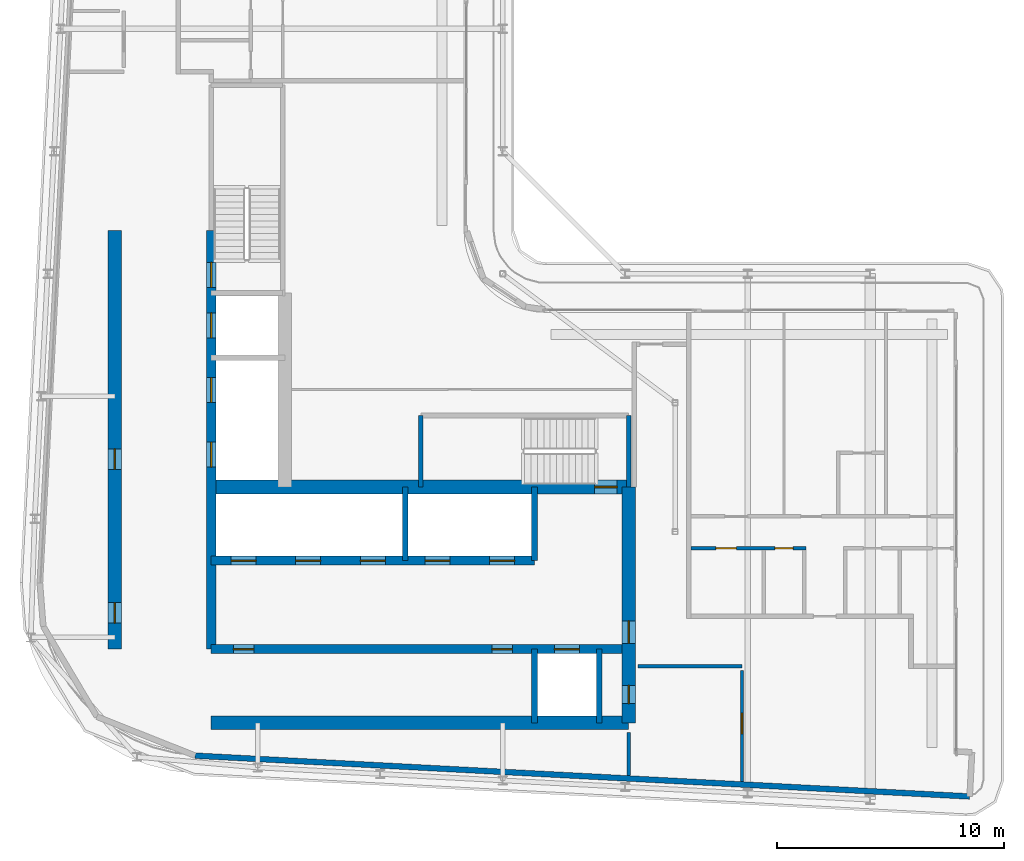
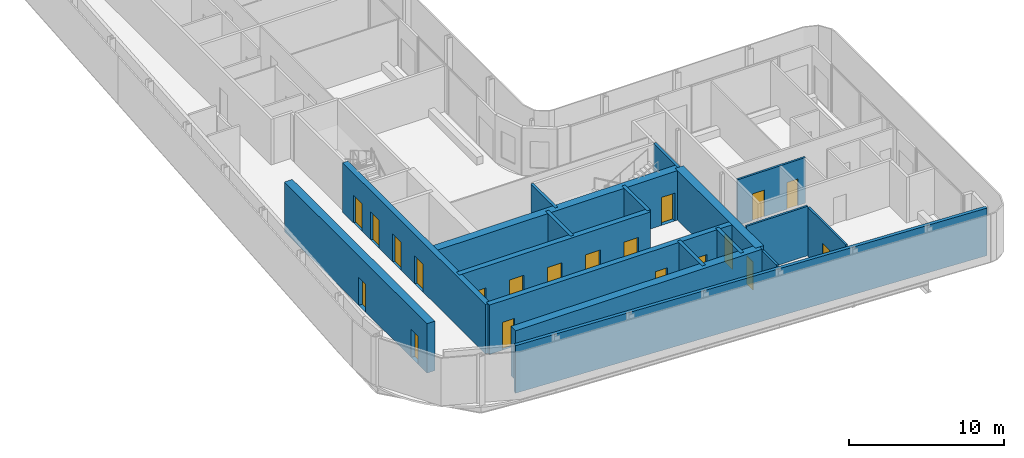
# One storey, part 11 of 21: 20 doors, 18 walls, 20 openings.
"""IFC4 building model written with IfcOpenShell, lengths in metres."""

from ifc_helpers import new_model, si_unit, direction, frame, frame_2d, origin, place, context, subcontext, project, spatial, rectangle, extrude, source, transform, mapped, material, layer, layer_set, type_object, element, fill, save


model = new_model("IFC4")

# Units and contexts
model_context = context("Model", 3, precision=1e-05, world=origin(), true_north=direction((0.0, 1.0)))
body_context = subcontext(model_context, "Body", "Model", "MODEL_VIEW")
ifc_project = project(units=[si_unit("LENGTHUNIT", "METRE"), si_unit("AREAUNIT", "SQUARE_METRE"), si_unit("VOLUMEUNIT", "CUBIC_METRE"), si_unit("PLANEANGLEUNIT", "RADIAN"), si_unit("MASSUNIT", "GRAM", prefix="KILO")], contexts=[model_context])

# Site, building, storey
site_placement = place(None, origin())
site = spatial("IfcSite", under=ifc_project, at=site_placement, CompositionType="ELEMENT")
building_placement = place(site_placement, origin())
building = spatial("IfcBuilding", under=site, at=building_placement, Name="Kheshtan School and Residences Tower", CompositionType="ELEMENT")
storey_placement = place(building_placement, frame((0.0, 0.0, 294.199951171875)))
storey = spatial("IfcBuildingStorey", under=building, at=storey_placement, Name="L69", CompositionType="ELEMENT", Elevation=294.199951171875)

# Wall, openings, doors
ifc_material_1 = material(Name="Concrete C50/60", Category="concrete")
ifc_layer_1 = layer(ifc_material_1, 0.39990234375)
ifc_layer_set_1 = layer_set([ifc_layer_1], Name="Core wall 400 Concrete C50/60")
wall_type_1 = type_object("IfcWallType", Name="Core wall 400 Concrete C50/60", PredefinedType="SHEAR", material=ifc_layer_set_1)
wall_1_placement = place(storey_placement, frame((34.75, 29.050048828125, 0.0), z_axis=(0.0, 0.0, 1.0), x_axis=(1.0, 0.0, 0.0)))
wall_1 = element("IfcWall", 1, at=wall_1_placement, inside=storey, type_object=wall_type_1, Name="Core wall CW-HALL-S1", PredefinedType="SHEAR", context=body_context, shape_type="SweptSolid", body=[
    extrude(rectangle(XDim=18.39990234375, YDim=0.39990234375, at=frame_2d((9.199951171875, 0.0))), origin(), (0.0, 0.0, 1.0), 3.900146484375),
])
opening_1_placement = place(wall_1_placement, frame((15.125, 0.0, 0.0)))
opening_1 = element("IfcOpeningElement", 2, at=opening_1_placement, cuts=wall_1, Name="Opening LD", PredefinedType="OPENING", context=body_context, shape_type="SweptSolid", body=[
    extrude(rectangle(XDim=1.10009765625, YDim=2.199951171875, at=frame_2d((0.550048828125, 1.10009765625))), frame((0.0, 0.2099609375, 0.0), z_axis=(0.0, -1.0, 0.0), x_axis=(1.0, 0.0, 0.0)), (0.0, 0.0, 1.0), 0.419921875),
])
opening_2_placement = place(wall_1_placement, frame((0.97509765625, 0.0, 0.0)))
opening_2 = element("IfcOpeningElement", 3, at=opening_2_placement, cuts=wall_1, Name="Opening SR90", PredefinedType="OPENING", context=body_context, shape_type="SweptSolid", body=[
    extrude(rectangle(XDim=0.89990234375, YDim=2.199951171875, at=frame_2d((0.449951171875, 1.10009765625))), frame((0.0, 0.2099609375, 0.0), z_axis=(0.0, -1.0, 0.0), x_axis=(1.0, 0.0, 0.0)), (0.0, 0.0, 1.0), 0.419921875),
])
opening_3_placement = place(wall_1_placement, frame((12.375, 0.0, 0.0)))
opening_3 = element("IfcOpeningElement", 4, at=opening_3_placement, cuts=wall_1, Name="Opening SR90", PredefinedType="OPENING", context=body_context, shape_type="SweptSolid", body=[
    extrude(rectangle(XDim=0.89990234375, YDim=2.199951171875, at=frame_2d((0.449951171875, 1.10009765625))), frame((0.0, 0.2099609375, 0.0), z_axis=(0.0, -1.0, 0.0), x_axis=(1.0, 0.0, 0.0)), (0.0, 0.0, 1.0), 0.419921875),
])
ifc_material_2 = material(Name="Stainless steel door leaves", Category="steel")
door_type_1 = type_object("IfcDoorType", Name="Lift landing door 1100", OperationType="SLIDING_TO_LEFT", PredefinedType="DOOR", material=ifc_material_2)
shared_shape_1 = source(origin(), body_context, "Body", "SweptSolid", [
    extrude(rectangle(XDim=1.10009765625, YDim=2.199951171875, at=frame_2d((0.550048828125, 1.10009765625))), frame((0.0, 0.02490234375, 0.0), z_axis=(0.0, -1.0, 0.0), x_axis=(1.0, 0.0, 0.0)), (0.0, 0.0, 1.0), 0.050048828125),
])
door_1_placement = place(opening_1_placement, origin())
door_1 = element("IfcDoor", 5, at=door_1_placement, inside=storey, type_object=door_type_1, Name="Lift FFL2 landing door", OperationType="SLIDING_TO_LEFT", OverallHeight=2.199951171875, OverallWidth=1.10009765625, PredefinedType="DOOR", context=body_context, shape_type="MappedRepresentation", body=[
    mapped(shared_shape_1, transform((0.0, 0.0, 0.0), x_axis=(1.0, 0.0, 0.0), y_axis=(0.0, 1.0, 0.0), z_axis=(0.0, 0.0, 1.0), scale=1.0)),
])
fill(opening_1, door_1)
ifc_material_3 = material(Name="Steel door leaf, galvanised", Category="steel")
door_type_2 = type_object("IfcDoorType", Name="Service room door 900 steel 90 min", OperationType="SINGLE_SWING_LEFT", PredefinedType="DOOR", material=ifc_material_3)
shared_shape_2 = source(origin(), body_context, "Body", "SweptSolid", [
    extrude(rectangle(XDim=0.89990234375, YDim=2.199951171875, at=frame_2d((0.449951171875, 1.10009765625))), frame((0.0, 0.02490234375, 0.0), z_axis=(0.0, -1.0, 0.0), x_axis=(1.0, 0.0, 0.0)), (0.0, 0.0, 1.0), 0.050048828125),
])
door_2_placement = place(opening_2_placement, origin())
door_2 = element("IfcDoor", 6, at=door_2_placement, inside=storey, type_object=door_type_2, Name="Service room door", OperationType="SINGLE_SWING_LEFT", OverallHeight=2.199951171875, OverallWidth=0.89990234375, PredefinedType="DOOR", context=body_context, shape_type="MappedRepresentation", body=[
    mapped(shared_shape_2, transform((0.0, 0.0, 0.0), x_axis=(1.0, 0.0, 0.0), y_axis=(0.0, 1.0, 0.0), z_axis=(0.0, 0.0, 1.0), scale=1.0)),
])
fill(opening_2, door_2)
door_3_placement = place(opening_3_placement, origin())
door_3 = element("IfcDoor", 7, at=door_3_placement, inside=storey, type_object=door_type_2, Name="Service room door", OperationType="SINGLE_SWING_LEFT", OverallHeight=2.199951171875, OverallWidth=0.89990234375, PredefinedType="DOOR", context=body_context, shape_type="MappedRepresentation", body=[
    mapped(shared_shape_2, transform((0.0, 0.0, 0.0), x_axis=(1.0, 0.0, 0.0), y_axis=(0.0, 1.0, 0.0), z_axis=(0.0, 0.0, 1.0), scale=1.0)),
])
fill(opening_3, door_3)

wall_2_placement = place(storey_placement, frame((34.75, 32.949951171875, 0.0), z_axis=(0.0, 0.0, 1.0), x_axis=(1.0, 0.0, 0.0)))
wall_2 = element("IfcWall", 8, at=wall_2_placement, inside=storey, type_object=wall_type_1, Name="Core wall CW-HALL-S2", PredefinedType="SHEAR", context=body_context, shape_type="SweptSolid", body=[
    extrude(rectangle(XDim=14.25, YDim=0.39990234375, at=frame_2d((7.125, 0.0))), origin(), (0.0, 0.0, 1.0), 3.900146484375),
])
opening_4_placement = place(wall_2_placement, frame((0.875, 0.0, 0.0)))
opening_4 = element("IfcOpeningElement", 9, at=opening_4_placement, cuts=wall_2, Name="Opening LD", PredefinedType="OPENING", context=body_context, shape_type="SweptSolid", body=[
    extrude(rectangle(XDim=1.10009765625, YDim=2.199951171875, at=frame_2d((0.550048828125, 1.10009765625))), frame((0.0, 0.2099609375, 0.0), z_axis=(0.0, -1.0, 0.0), x_axis=(1.0, 0.0, 0.0)), (0.0, 0.0, 1.0), 0.419921875),
])
opening_5_placement = place(wall_2_placement, frame((3.72509765625, 0.0, 0.0)))
opening_5 = element("IfcOpeningElement", 10, at=opening_5_placement, cuts=wall_2, Name="Opening LD", PredefinedType="OPENING", context=body_context, shape_type="SweptSolid", body=[
    extrude(rectangle(XDim=1.10009765625, YDim=2.199951171875, at=frame_2d((0.550048828125, 1.10009765625))), frame((0.0, 0.2099609375, 0.0), z_axis=(0.0, -1.0, 0.0), x_axis=(1.0, 0.0, 0.0)), (0.0, 0.0, 1.0), 0.419921875),
])
opening_6_placement = place(wall_2_placement, frame((6.574951171875, 0.0, 0.0)))
opening_6 = element("IfcOpeningElement", 11, at=opening_6_placement, cuts=wall_2, Name="Opening LD", PredefinedType="OPENING", context=body_context, shape_type="SweptSolid", body=[
    extrude(rectangle(XDim=1.10009765625, YDim=2.199951171875, at=frame_2d((0.550048828125, 1.10009765625))), frame((0.0, 0.2099609375, 0.0), z_axis=(0.0, -1.0, 0.0), x_axis=(1.0, 0.0, 0.0)), (0.0, 0.0, 1.0), 0.419921875),
])
opening_7_placement = place(wall_2_placement, frame((9.425048828125, 0.0, 0.0)))
opening_7 = element("IfcOpeningElement", 12, at=opening_7_placement, cuts=wall_2, Name="Opening LD", PredefinedType="OPENING", context=body_context, shape_type="SweptSolid", body=[
    extrude(rectangle(XDim=1.10009765625, YDim=2.199951171875, at=frame_2d((0.550048828125, 1.10009765625))), frame((0.0, 0.2099609375, 0.0), z_axis=(0.0, -1.0, 0.0), x_axis=(1.0, 0.0, 0.0)), (0.0, 0.0, 1.0), 0.419921875),
])
opening_8_placement = place(wall_2_placement, frame((12.27490234375, 0.0, 0.0)))
opening_8 = element("IfcOpeningElement", 13, at=opening_8_placement, cuts=wall_2, Name="Opening LD", PredefinedType="OPENING", context=body_context, shape_type="SweptSolid", body=[
    extrude(rectangle(XDim=1.10009765625, YDim=2.199951171875, at=frame_2d((0.550048828125, 1.10009765625))), frame((0.0, 0.2099609375, 0.0), z_axis=(0.0, -1.0, 0.0), x_axis=(1.0, 0.0, 0.0)), (0.0, 0.0, 1.0), 0.419921875),
])
door_4_placement = place(opening_4_placement, origin())
door_4 = element("IfcDoor", 14, at=door_4_placement, inside=storey, type_object=door_type_1, Name="Lift P12 landing door", OperationType="SLIDING_TO_LEFT", OverallHeight=2.199951171875, OverallWidth=1.10009765625, PredefinedType="DOOR", context=body_context, shape_type="MappedRepresentation", body=[
    mapped(shared_shape_1, transform((0.0, 0.0, 0.0), x_axis=(1.0, 0.0, 0.0), y_axis=(0.0, 1.0, 0.0), z_axis=(0.0, 0.0, 1.0), scale=1.0)),
])
fill(opening_4, door_4)
door_5_placement = place(opening_5_placement, origin())
door_5 = element("IfcDoor", 15, at=door_5_placement, inside=storey, type_object=door_type_1, Name="Lift P13 landing door", OperationType="SLIDING_TO_LEFT", OverallHeight=2.199951171875, OverallWidth=1.10009765625, PredefinedType="DOOR", context=body_context, shape_type="MappedRepresentation", body=[
    mapped(shared_shape_1, transform((0.0, 0.0, 0.0), x_axis=(1.0, 0.0, 0.0), y_axis=(0.0, 1.0, 0.0), z_axis=(0.0, 0.0, 1.0), scale=1.0)),
])
fill(opening_5, door_5)
door_6_placement = place(opening_6_placement, origin())
door_6 = element("IfcDoor", 16, at=door_6_placement, inside=storey, type_object=door_type_1, Name="Lift P14 landing door", OperationType="SLIDING_TO_LEFT", OverallHeight=2.199951171875, OverallWidth=1.10009765625, PredefinedType="DOOR", context=body_context, shape_type="MappedRepresentation", body=[
    mapped(shared_shape_1, transform((0.0, 0.0, 0.0), x_axis=(1.0, 0.0, 0.0), y_axis=(0.0, 1.0, 0.0), z_axis=(0.0, 0.0, 1.0), scale=1.0)),
])
fill(opening_6, door_6)
door_7_placement = place(opening_7_placement, origin())
door_7 = element("IfcDoor", 17, at=door_7_placement, inside=storey, type_object=door_type_1, Name="Lift P15 landing door", OperationType="SLIDING_TO_LEFT", OverallHeight=2.199951171875, OverallWidth=1.10009765625, PredefinedType="DOOR", context=body_context, shape_type="MappedRepresentation", body=[
    mapped(shared_shape_1, transform((0.0, 0.0, 0.0), x_axis=(1.0, 0.0, 0.0), y_axis=(0.0, 1.0, 0.0), z_axis=(0.0, 0.0, 1.0), scale=1.0)),
])
fill(opening_7, door_7)
door_8_placement = place(opening_8_placement, origin())
door_8 = element("IfcDoor", 18, at=door_8_placement, inside=storey, type_object=door_type_1, Name="Lift P16 landing door", OperationType="SLIDING_TO_LEFT", OverallHeight=2.199951171875, OverallWidth=1.10009765625, PredefinedType="DOOR", context=body_context, shape_type="MappedRepresentation", body=[
    mapped(shared_shape_1, transform((0.0, 0.0, 0.0), x_axis=(1.0, 0.0, 0.0), y_axis=(0.0, 1.0, 0.0), z_axis=(0.0, 0.0, 1.0), scale=1.0)),
])
fill(opening_8, door_8)

wall_3_placement = place(storey_placement, frame((34.75, 29.050048828125, 0.0), z_axis=(0.0, 0.0, 1.0), x_axis=(0.0, 1.0, 0.0)))
wall_3 = element("IfcWall", 19, at=wall_3_placement, inside=storey, type_object=wall_type_1, Name="Core wall CW-HALL-W1", PredefinedType="SHEAR", context=body_context, shape_type="SweptSolid", body=[
    extrude(rectangle(XDim=18.449951171875, YDim=0.39990234375, at=frame_2d((9.22509765625, 0.0))), origin(), (0.0, 0.0, 1.0), 3.900146484375),
])
opening_9_placement = place(wall_3_placement, frame((8.02490234375, 0.0, 0.0)))
opening_9 = element("IfcOpeningElement", 20, at=opening_9_placement, cuts=wall_3, Name="Opening LD", PredefinedType="OPENING", context=body_context, shape_type="SweptSolid", body=[
    extrude(rectangle(XDim=1.10009765625, YDim=2.199951171875, at=frame_2d((0.550048828125, 1.10009765625))), frame((0.0, 0.2099609375, 0.0), z_axis=(0.0, -1.0, 0.0), x_axis=(1.0, 0.0, 0.0)), (0.0, 0.0, 1.0), 0.419921875),
])
opening_10_placement = place(wall_3_placement, frame((10.875, 0.0, 0.0)))
opening_10 = element("IfcOpeningElement", 21, at=opening_10_placement, cuts=wall_3, Name="Opening LD", PredefinedType="OPENING", context=body_context, shape_type="SweptSolid", body=[
    extrude(rectangle(XDim=1.10009765625, YDim=2.199951171875, at=frame_2d((0.550048828125, 1.10009765625))), frame((0.0, 0.2099609375, 0.0), z_axis=(0.0, -1.0, 0.0), x_axis=(1.0, 0.0, 0.0)), (0.0, 0.0, 1.0), 0.419921875),
])
opening_11_placement = place(wall_3_placement, frame((13.72509765625, 0.0, 0.0)))
opening_11 = element("IfcOpeningElement", 22, at=opening_11_placement, cuts=wall_3, Name="Opening LD", PredefinedType="OPENING", context=body_context, shape_type="SweptSolid", body=[
    extrude(rectangle(XDim=1.10009765625, YDim=2.199951171875, at=frame_2d((0.550048828125, 1.10009765625))), frame((0.0, 0.2099609375, 0.0), z_axis=(0.0, -1.0, 0.0), x_axis=(1.0, 0.0, 0.0)), (0.0, 0.0, 1.0), 0.419921875),
])
opening_12_placement = place(wall_3_placement, frame((15.949951171875, 0.0, 0.0)))
opening_12 = element("IfcOpeningElement", 23, at=opening_12_placement, cuts=wall_3, Name="Opening ST2D", PredefinedType="OPENING", context=body_context, shape_type="SweptSolid", body=[
    extrude(rectangle(XDim=1.10009765625, YDim=2.199951171875, at=frame_2d((0.550048828125, 1.10009765625))), frame((0.0, 0.2099609375, 0.0), z_axis=(0.0, -1.0, 0.0), x_axis=(1.0, 0.0, 0.0)), (0.0, 0.0, 1.0), 0.419921875),
])
door_9_placement = place(opening_9_placement, origin())
door_9 = element("IfcDoor", 24, at=door_9_placement, inside=storey, type_object=door_type_1, Name="Lift SV1 landing door", OperationType="SLIDING_TO_LEFT", OverallHeight=2.199951171875, OverallWidth=1.10009765625, PredefinedType="DOOR", context=body_context, shape_type="MappedRepresentation", body=[
    mapped(shared_shape_1, transform((0.0, 0.0, 0.0), x_axis=(1.0, 0.0, 0.0), y_axis=(0.0, 1.0, 0.0), z_axis=(0.0, 0.0, 1.0), scale=1.0)),
])
fill(opening_9, door_9)
door_10_placement = place(opening_10_placement, origin())
door_10 = element("IfcDoor", 25, at=door_10_placement, inside=storey, type_object=door_type_1, Name="Lift SV2 landing door", OperationType="SLIDING_TO_LEFT", OverallHeight=2.199951171875, OverallWidth=1.10009765625, PredefinedType="DOOR", context=body_context, shape_type="MappedRepresentation", body=[
    mapped(shared_shape_1, transform((0.0, 0.0, 0.0), x_axis=(1.0, 0.0, 0.0), y_axis=(0.0, 1.0, 0.0), z_axis=(0.0, 0.0, 1.0), scale=1.0)),
])
fill(opening_10, door_10)
door_11_placement = place(opening_11_placement, origin())
door_11 = element("IfcDoor", 26, at=door_11_placement, inside=storey, type_object=door_type_1, Name="Lift FFL1 landing door", OperationType="SLIDING_TO_LEFT", OverallHeight=2.199951171875, OverallWidth=1.10009765625, PredefinedType="DOOR", context=body_context, shape_type="MappedRepresentation", body=[
    mapped(shared_shape_1, transform((0.0, 0.0, 0.0), x_axis=(1.0, 0.0, 0.0), y_axis=(0.0, 1.0, 0.0), z_axis=(0.0, 0.0, 1.0), scale=1.0)),
])
fill(opening_11, door_11)
door_type_3 = type_object("IfcDoorType", Name="Stair door 1100 steel 90 min", OperationType="SINGLE_SWING_LEFT", PredefinedType="DOOR", material=ifc_material_3)
shared_shape_3 = source(origin(), body_context, "Body", "SweptSolid", [
    extrude(rectangle(XDim=1.10009765625, YDim=2.199951171875, at=frame_2d((0.550048828125, 1.10009765625))), frame((0.0, 0.02490234375, 0.0), z_axis=(0.0, -1.0, 0.0), x_axis=(1.0, 0.0, 0.0)), (0.0, 0.0, 1.0), 0.050048828125),
])
door_12_placement = place(opening_12_placement, origin())
door_12 = element("IfcDoor", 27, at=door_12_placement, inside=storey, type_object=door_type_3, Name="Stair ST2 door", OperationType="SINGLE_SWING_RIGHT", OverallHeight=2.199951171875, OverallWidth=1.10009765625, PredefinedType="DOOR", context=body_context, shape_type="MappedRepresentation", body=[
    mapped(shared_shape_3, transform((0.0, 0.0, 0.0), x_axis=(1.0, 0.0, 0.0), y_axis=(0.0, 1.0, 0.0), z_axis=(0.0, 0.0, 1.0), scale=1.0)),
])
fill(opening_12, door_12)

# Wall
ifc_material_4 = material(Name="Concrete C60/75", Category="concrete")
ifc_layer_2 = layer(ifc_material_4, 0.60009765625)
ifc_layer_set_2 = layer_set([ifc_layer_2], Name="Core wall 600 Concrete C60/75")
wall_type_2 = type_object("IfcWallType", Name="Core wall 600 Concrete C60/75", PredefinedType="SHEAR", material=ifc_layer_set_2)
wall_4_placement = place(storey_placement, frame((34.75, 25.800048828125, 0.0), z_axis=(0.0, 0.0, 1.0), x_axis=(1.0, 0.0, 0.0)))
element("IfcWall", 28, at=wall_4_placement, inside=storey, type_object=wall_type_2, Name="Core wall CW-REAR-S", PredefinedType="SHEAR", context=body_context, shape_type="SweptSolid", body=[
    extrude(rectangle(XDim=18.39990234375, YDim=0.60009765625, at=frame_2d((9.199951171875, 0.0))), origin(), (0.0, 0.0, 1.0), 3.900146484375),
])

# Wall, opening, door
wall_5_placement = place(storey_placement, frame((34.75, 36.199951171875, 0.0), z_axis=(0.0, 0.0, 1.0), x_axis=(1.0, 0.0, 0.0)))
wall_5 = element("IfcWall", 29, at=wall_5_placement, inside=storey, type_object=wall_type_2, Name="Core wall CW-FRONT-S", PredefinedType="SHEAR", context=body_context, shape_type="SweptSolid", body=[
    extrude(rectangle(XDim=18.39990234375, YDim=0.60009765625, at=frame_2d((9.199951171875, 0.0))), origin(), (0.0, 0.0, 1.0), 3.900146484375),
])
opening_13_placement = place(wall_5_placement, frame((16.89990234375, 0.0, 0.0)))
opening_13 = element("IfcOpeningElement", 30, at=opening_13_placement, cuts=wall_5, Name="Opening ST1D", PredefinedType="OPENING", context=body_context, shape_type="SweptSolid", body=[
    extrude(rectangle(XDim=1.0, YDim=2.199951171875, at=frame_2d((0.5, 1.10009765625))), frame((0.0, 0.31005859375, 0.0), z_axis=(0.0, -1.0, 0.0), x_axis=(1.0, 0.0, 0.0)), (0.0, 0.0, 1.0), 0.6201171875),
])
shared_shape_4 = source(origin(), body_context, "Body", "SweptSolid", [
    extrude(rectangle(XDim=1.0, YDim=2.199951171875, at=frame_2d((0.5, 1.10009765625))), frame((0.0, 0.02490234375, 0.0), z_axis=(0.0, -1.0, 0.0), x_axis=(1.0, 0.0, 0.0)), (0.0, 0.0, 1.0), 0.050048828125),
])
door_13_placement = place(opening_13_placement, origin())
door_13 = element("IfcDoor", 31, at=door_13_placement, inside=storey, type_object=door_type_3, Name="Stair ST1 door", OperationType="SINGLE_SWING_RIGHT", OverallHeight=2.199951171875, OverallWidth=1.0, PredefinedType="DOOR", context=body_context, shape_type="MappedRepresentation", body=[
    mapped(shared_shape_4, transform((0.0, 0.0, 0.0), x_axis=(1.0, 0.0, 0.0), y_axis=(0.0, 1.0, 0.0), z_axis=(0.0, 0.0, 1.0), scale=1.0)),
])
fill(opening_13, door_13)

# Wall, openings, doors
wall_6_placement = place(storey_placement, frame((30.5, 29.050048828125, 0.0), z_axis=(0.0, 0.0, 1.0), x_axis=(0.0, 1.0, 0.0)))
wall_6 = element("IfcWall", 32, at=wall_6_placement, inside=storey, type_object=wall_type_2, Name="Core wall CW-REAR-W", PredefinedType="SHEAR", context=body_context, shape_type="SweptSolid", body=[
    extrude(rectangle(XDim=18.449951171875, YDim=0.60009765625, at=frame_2d((9.22509765625, 0.0))), origin(), (0.0, 0.0, 1.0), 3.900146484375),
])
opening_14_placement = place(wall_6_placement, frame((1.14697265625, 0.0, 0.0)))
opening_14 = element("IfcOpeningElement", 33, at=opening_14_placement, cuts=wall_6, Name="Opening SR90", PredefinedType="OPENING", context=body_context, shape_type="SweptSolid", body=[
    extrude(rectangle(XDim=0.89990234375, YDim=2.199951171875, at=frame_2d((0.449951171875, 1.10009765625))), frame((0.0, 0.31005859375, 0.0), z_axis=(0.0, -1.0, 0.0), x_axis=(1.0, 0.0, 0.0)), (0.0, 0.0, 1.0), 0.6201171875),
])
opening_15_placement = place(wall_6_placement, frame((7.925048828125, 0.0, 0.0)))
opening_15 = element("IfcOpeningElement", 34, at=opening_15_placement, cuts=wall_6, Name="Opening SR90", PredefinedType="OPENING", context=body_context, shape_type="SweptSolid", body=[
    extrude(rectangle(XDim=0.89990234375, YDim=2.199951171875, at=frame_2d((0.449951171875, 1.10009765625))), frame((0.0, 0.31005859375, 0.0), z_axis=(0.0, -1.0, 0.0), x_axis=(1.0, 0.0, 0.0)), (0.0, 0.0, 1.0), 0.6201171875),
])
door_14_placement = place(opening_14_placement, origin())
door_14 = element("IfcDoor", 35, at=door_14_placement, inside=storey, type_object=door_type_2, Name="Service room door", OperationType="SINGLE_SWING_LEFT", OverallHeight=2.199951171875, OverallWidth=0.89990234375, PredefinedType="DOOR", context=body_context, shape_type="MappedRepresentation", body=[
    mapped(shared_shape_2, transform((0.0, 0.0, 0.0), x_axis=(1.0, 0.0, 0.0), y_axis=(0.0, 1.0, 0.0), z_axis=(0.0, 0.0, 1.0), scale=1.0)),
])
fill(opening_14, door_14)
door_15_placement = place(opening_15_placement, origin())
door_15 = element("IfcDoor", 36, at=door_15_placement, inside=storey, type_object=door_type_2, Name="Service room door", OperationType="SINGLE_SWING_LEFT", OverallHeight=2.199951171875, OverallWidth=0.89990234375, PredefinedType="DOOR", context=body_context, shape_type="MappedRepresentation", body=[
    mapped(shared_shape_2, transform((0.0, 0.0, 0.0), x_axis=(1.0, 0.0, 0.0), y_axis=(0.0, 1.0, 0.0), z_axis=(0.0, 0.0, 1.0), scale=1.0)),
])
fill(opening_15, door_15)

wall_7_placement = place(storey_placement, frame((53.14990234375, 25.800048828125, 0.0), z_axis=(0.0, 0.0, 1.0), x_axis=(0.0, 1.0, 0.0)))
wall_7 = element("IfcWall", 37, at=wall_7_placement, inside=storey, type_object=wall_type_2, Name="Core wall CW-EAST", PredefinedType="SHEAR", context=body_context, shape_type="SweptSolid", body=[
    extrude(rectangle(XDim=10.39990234375, YDim=0.60009765625, at=frame_2d((5.199951171875, 0.0))), origin(), (0.0, 0.0, 1.0), 3.900146484375),
])
opening_16_placement = place(wall_7_placement, frame((0.85009765625, 0.0, 0.0)))
opening_16 = element("IfcOpeningElement", 38, at=opening_16_placement, cuts=wall_7, Name="Opening SR80", PredefinedType="OPENING", context=body_context, shape_type="SweptSolid", body=[
    extrude(rectangle(XDim=0.800048828125, YDim=2.199951171875, at=frame_2d((0.39990234375, 1.10009765625))), frame((0.0, 0.31005859375, 0.0), z_axis=(0.0, -1.0, 0.0), x_axis=(1.0, 0.0, 0.0)), (0.0, 0.0, 1.0), 0.6201171875),
])
opening_17_placement = place(wall_7_placement, frame((3.5, 0.0, 0.0)))
opening_17 = element("IfcOpeningElement", 39, at=opening_17_placement, cuts=wall_7, Name="Opening SD91", PredefinedType="OPENING", context=body_context, shape_type="SweptSolid", body=[
    extrude(rectangle(XDim=1.0, YDim=2.199951171875, at=frame_2d((0.5, 1.10009765625))), frame((0.0, 0.31005859375, 0.0), z_axis=(0.0, -1.0, 0.0), x_axis=(1.0, 0.0, 0.0)), (0.0, 0.0, 1.0), 0.6201171875),
])
door_type_4 = type_object("IfcDoorType", Name="Service room door 800 steel 90 min", OperationType="SINGLE_SWING_LEFT", PredefinedType="DOOR", material=ifc_material_3)
shared_shape_5 = source(origin(), body_context, "Body", "SweptSolid", [
    extrude(rectangle(XDim=0.800048828125, YDim=2.199951171875, at=frame_2d((0.39990234375, 1.10009765625))), frame((0.0, 0.02490234375, 0.0), z_axis=(0.0, -1.0, 0.0), x_axis=(1.0, 0.0, 0.0)), (0.0, 0.0, 1.0), 0.050048828125),
])
door_16_placement = place(opening_16_placement, origin())
door_16 = element("IfcDoor", 40, at=door_16_placement, inside=storey, type_object=door_type_4, Name="Service room door", OperationType="SINGLE_SWING_LEFT", OverallHeight=2.199951171875, OverallWidth=0.800048828125, PredefinedType="DOOR", context=body_context, shape_type="MappedRepresentation", body=[
    mapped(shared_shape_5, transform((0.0, 0.0, 0.0), x_axis=(1.0, 0.0, 0.0), y_axis=(0.0, 1.0, 0.0), z_axis=(0.0, 0.0, 1.0), scale=1.0)),
])
fill(opening_16, door_16)
door_type_5 = type_object("IfcDoorType", Name="Firefighting lobby door 1000 steel 90 min", OperationType="SINGLE_SWING_LEFT", PredefinedType="DOOR", material=ifc_material_3)
shared_shape_6 = source(origin(), body_context, "Body", "SweptSolid", [
    extrude(rectangle(XDim=1.0, YDim=2.199951171875, at=frame_2d((0.5, 1.10009765625))), frame((0.0, 0.02490234375, 0.0), z_axis=(0.0, -1.0, 0.0), x_axis=(1.0, 0.0, 0.0)), (0.0, 0.0, 1.0), 0.050048828125),
])
door_17_placement = place(opening_17_placement, origin())
door_17 = element("IfcDoor", 41, at=door_17_placement, inside=storey, type_object=door_type_5, Name="Firefighting lobby door", OperationType="SINGLE_SWING_LEFT", OverallHeight=2.199951171875, OverallWidth=1.0, PredefinedType="DOOR", context=body_context, shape_type="MappedRepresentation", body=[
    mapped(shared_shape_6, transform((0.0, 0.0, 0.0), x_axis=(1.0, 0.0, 0.0), y_axis=(0.0, 1.0, 0.0), z_axis=(0.0, 0.0, 1.0), scale=1.0)),
])
fill(opening_17, door_17)

# Walls
ifc_material_5 = material(Name="Concrete C40/50 with ceramic cladding and mineral wool insulation", Category="concrete")
ifc_layer_3 = layer(ifc_material_5, 0.25)
ifc_layer_set_3 = layer_set([ifc_layer_3], Name="External wall 250 ceramic clad")
wall_type_3 = type_object("IfcWallType", Name="External wall 250 ceramic clad", PredefinedType="SOLIDWALL", material=ifc_layer_set_3)
wall_8_placement = place(storey_placement, frame((68.18603515625, 22.554931640625, 0.0), z_axis=(0.0, 0.0, 1.0), x_axis=(-0.998616468095, 0.052584690257, 0.0)))
element("IfcWall", 42, at=wall_8_placement, inside=storey, type_object=wall_type_3, Name="External wall L69 16", PredefinedType="SOLIDWALL", context=body_context, shape_type="SweptSolid", body=[
    extrude(rectangle(XDim=34.1943359375, YDim=0.25, at=frame_2d((17.09716796875, 0.0))), origin(), (0.0, 0.0, 1.0), 3.75),
])
ifc_material_6 = material(Name="Fire-board shaft wall system")
ifc_layer_4 = layer(ifc_material_6, 0.14990234375)
ifc_layer_set_4 = layer_set([ifc_layer_4], Name="Service room wall 150")
wall_type_4 = type_object("IfcWallType", Name="Service room wall 150", PredefinedType="PARTITIONING", material=ifc_layer_set_4)
wall_9_placement = place(storey_placement, frame((53.570068359375, 28.300048828125, 0.0), z_axis=(0.0, 0.0, 1.0), x_axis=(1.0, 0.0, 0.0)))
element("IfcWall", 43, at=wall_9_placement, inside=storey, type_object=wall_type_4, Name="Service room wall", PredefinedType="PARTITIONING", context=body_context, shape_type="SweptSolid", body=[
    extrude(rectangle(XDim=4.579833984375, YDim=0.14990234375, at=frame_2d((2.2900390625, 0.0))), origin(), (0.0, 0.0, 1.0), 3.900146484375),
])
wall_10_placement = place(storey_placement, frame((53.14990234375, 23.47509765625, 0.0), z_axis=(0.0, 0.0, 1.0), x_axis=(0.0, 1.0, 0.0)))
element("IfcWall", 44, at=wall_10_placement, inside=storey, type_object=wall_type_4, Name="Service room wall", PredefinedType="PARTITIONING", context=body_context, shape_type="SweptSolid", body=[
    extrude(rectangle(XDim=1.90478515625, YDim=0.14990234375, at=frame_2d((0.952392578125, 0.0))), origin(), (0.0, 0.0, 1.0), 3.900146484375),
])

# Wall, opening, door
wall_11_placement = place(storey_placement, frame((58.14990234375, 23.2109375, 0.0), z_axis=(0.0, 0.0, 1.0), x_axis=(0.0, 1.0, 0.0)))
wall_11 = element("IfcWall", 45, at=wall_11_placement, inside=storey, type_object=wall_type_4, Name="Service room wall", PredefinedType="PARTITIONING", context=body_context, shape_type="SweptSolid", body=[
    extrude(rectangle(XDim=4.89404296875, YDim=0.14990234375, at=frame_2d((2.447021484375, 0.0))), origin(), (0.0, 0.0, 1.0), 3.900146484375),
])
opening_18_placement = place(wall_11_placement, frame((2.10888671875, 0.0, 0.0)))
opening_18 = element("IfcOpeningElement", 46, at=opening_18_placement, cuts=wall_11, Name="Opening SR90", PredefinedType="OPENING", context=body_context, shape_type="SweptSolid", body=[
    extrude(rectangle(XDim=0.89990234375, YDim=2.199951171875, at=frame_2d((0.449951171875, 1.10009765625))), frame((0.0, 0.0849609375, 0.0), z_axis=(0.0, -1.0, 0.0), x_axis=(1.0, 0.0, 0.0)), (0.0, 0.0, 1.0), 0.169921875),
])
door_18_placement = place(opening_18_placement, origin())
door_18 = element("IfcDoor", 47, at=door_18_placement, inside=storey, type_object=door_type_2, Name="Service room door", OperationType="SINGLE_SWING_LEFT", OverallHeight=2.199951171875, OverallWidth=0.89990234375, PredefinedType="DOOR", context=body_context, shape_type="MappedRepresentation", body=[
    mapped(shared_shape_2, transform((0.0, 0.0, 0.0), x_axis=(1.0, 0.0, 0.0), y_axis=(0.0, 1.0, 0.0), z_axis=(0.0, 0.0, 1.0), scale=1.0)),
])
fill(opening_18, door_18)

# Walls
ifc_layer_5 = layer(ifc_material_6, 0.25)
ifc_layer_set_5 = layer_set([ifc_layer_5], Name="Shaft lining wall 250")
wall_type_5 = type_object("IfcWallType", Name="Shaft lining wall 250", PredefinedType="PARTITIONING", material=ifc_layer_set_5)
for number, where, z_axis, x_axis, name in (
    (48, (43.300048828125, 32.949951171875, 0.0), (0.0, 0.0, 1.0), (0.0, 1.0, 0.0), "Shaft lining wall"),
    (49, (49.0, 25.800048828125, 0.0), (0.0, 0.0, 1.0), (0.0, 1.0, 0.0), "Shaft lining wall"),
    (50, (49.0, 32.949951171875, 0.0), (0.0, 0.0, 1.0), (0.0, 1.0, 0.0), "Shaft lining wall"),
    (51, (51.85009765625, 25.800048828125, 0.0), (0.0, 0.0, 1.0), (0.0, 1.0, 0.0), "Shaft lining wall"),
):
    element("IfcWall", number, at=place(storey_placement, frame(where, z_axis=z_axis, x_axis=x_axis)), inside=storey, type_object=wall_type_5, Name=name, PredefinedType="PARTITIONING", context=body_context, shape_type="SweptSolid", body=[
        extrude(rectangle(XDim=3.25, YDim=0.25, at=frame_2d((1.625, 0.0))), origin(), (0.0, 0.0, 1.0), 3.900146484375),
    ])
ifc_material_7 = material(Name="Concrete C40/50", Category="concrete")
ifc_layer_6 = layer(ifc_material_7, 0.199951171875)
ifc_layer_set_6 = layer_set([ifc_layer_6], Name="Stair enclosure wall 200 Concrete C40/50")
wall_type_6 = type_object("IfcWallType", Name="Stair enclosure wall 200 Concrete C40/50", PredefinedType="SHEAR", material=ifc_layer_set_6)
for number, where, z_axis, x_axis, name in (
    (52, (43.989990234375, 36.199951171875, 0.0), (0.0, 0.0, 1.0), (0.0, 1.0, 0.0), "Stair enclosure wall ST1"),
    (53, (53.14990234375, 36.199951171875, 0.0), (0.0, 0.0, 1.0), (0.0, 1.0, 0.0), "Stair enclosure wall ST1"),
):
    element("IfcWall", number, at=place(storey_placement, frame(where, z_axis=z_axis, x_axis=x_axis)), inside=storey, type_object=wall_type_6, Name=name, PredefinedType="SHEAR", context=body_context, shape_type="SweptSolid", body=[
        extrude(rectangle(XDim=3.150146484375, YDim=0.199951171875, at=frame_2d((1.5751953125, 0.0))), origin(), (0.0, 0.0, 1.0), 3.900146484375),
    ])

# Wall, openings, doors
ifc_material_8 = material(Name="Moisture-resistant gypsum board on steel studs", Category="steel")
ifc_layer_7 = layer(ifc_material_8, 0.14990234375)
ifc_layer_set_7 = layer_set([ifc_layer_7], Name="Wet-room partition 150")
wall_type_7 = type_object("IfcWallType", Name="Wet-room partition 150", PredefinedType="PARTITIONING", material=ifc_layer_set_7)
wall_12_placement = place(storey_placement, frame((55.89990234375, 33.5, 0.0), z_axis=(0.0, 0.0, 1.0), x_axis=(1.0, 0.0, 0.0)))
wall_12 = element("IfcWall", 54, at=wall_12_placement, inside=storey, type_object=wall_type_7, Name="Partition L69-044", PredefinedType="PARTITIONING", context=body_context, shape_type="SweptSolid", body=[
    extrude(rectangle(XDim=5.0751953125, YDim=0.14990234375, at=frame_2d((2.53759765625, 0.0))), origin(), (0.0, 0.0, 1.0), 3.60009765625),
])
opening_19_placement = place(wall_12_placement, frame((1.10009765625, 0.0, 0.0)))
opening_19 = element("IfcOpeningElement", 55, at=opening_19_placement, cuts=wall_12, Name="Opening D68-006", PredefinedType="OPENING", context=body_context, shape_type="SweptSolid", body=[
    extrude(rectangle(XDim=0.89990234375, YDim=2.10009765625, at=frame_2d((0.449951171875, 1.050048828125))), frame((0.0, 0.0849609375, 0.0), z_axis=(0.0, -1.0, 0.0), x_axis=(1.0, 0.0, 0.0)), (0.0, 0.0, 1.0), 0.169921875),
])
opening_20_placement = place(wall_12_placement, frame((3.699951171875, 0.0, 0.0)))
opening_20 = element("IfcOpeningElement", 56, at=opening_20_placement, cuts=wall_12, Name="Opening D68-009", PredefinedType="OPENING", context=body_context, shape_type="SweptSolid", body=[
    extrude(rectangle(XDim=0.800048828125, YDim=2.10009765625, at=frame_2d((0.39990234375, 1.050048828125))), frame((0.0, 0.0849609375, 0.0), z_axis=(0.0, -1.0, 0.0), x_axis=(1.0, 0.0, 0.0)), (0.0, 0.0, 1.0), 0.169921875),
])
ifc_material_9 = material(Name="Veneered timber door leaf", Category="wood")
door_type_6 = type_object("IfcDoorType", Name="Door 800 x 2100", OperationType="SINGLE_SWING_LEFT", PredefinedType="DOOR", material=ifc_material_9)
shared_shape_7 = source(origin(), body_context, "Body", "SweptSolid", [
    extrude(rectangle(XDim=0.800048828125, YDim=2.10009765625, at=frame_2d((0.39990234375, 1.050048828125))), frame((0.0, 0.02490234375, 0.0), z_axis=(0.0, -1.0, 0.0), x_axis=(1.0, 0.0, 0.0)), (0.0, 0.0, 1.0), 0.050048828125),
])
door_19_placement = place(opening_20_placement, origin())
door_19 = element("IfcDoor", 57, at=door_19_placement, inside=storey, type_object=door_type_6, Name="Door D68-009", OperationType="SINGLE_SWING_RIGHT", OverallHeight=2.10009765625, OverallWidth=0.800048828125, PredefinedType="DOOR", context=body_context, shape_type="MappedRepresentation", body=[
    mapped(shared_shape_7, transform((0.0, 0.0, 0.0), x_axis=(1.0, 0.0, 0.0), y_axis=(0.0, 1.0, 0.0), z_axis=(0.0, 0.0, 1.0), scale=1.0)),
])
fill(opening_20, door_19)
door_type_7 = type_object("IfcDoorType", Name="Door 900 x 2100", OperationType="SINGLE_SWING_LEFT", PredefinedType="DOOR", material=ifc_material_9)
shared_shape_8 = source(origin(), body_context, "Body", "SweptSolid", [
    extrude(rectangle(XDim=0.89990234375, YDim=2.10009765625, at=frame_2d((0.449951171875, 1.050048828125))), frame((0.0, 0.02490234375, 0.0), z_axis=(0.0, -1.0, 0.0), x_axis=(1.0, 0.0, 0.0)), (0.0, 0.0, 1.0), 0.050048828125),
])
door_20_placement = place(opening_19_placement, origin())
door_20 = element("IfcDoor", 58, at=door_20_placement, inside=storey, type_object=door_type_7, Name="Door D68-006", OperationType="SINGLE_SWING_RIGHT", OverallHeight=2.10009765625, OverallWidth=0.89990234375, PredefinedType="DOOR", context=body_context, shape_type="MappedRepresentation", body=[
    mapped(shared_shape_8, transform((0.0, 0.0, 0.0), x_axis=(1.0, 0.0, 0.0), y_axis=(0.0, 1.0, 0.0), z_axis=(0.0, 0.0, 1.0), scale=1.0)),
])
fill(opening_19, door_20)

save(model, "model.ifc")
